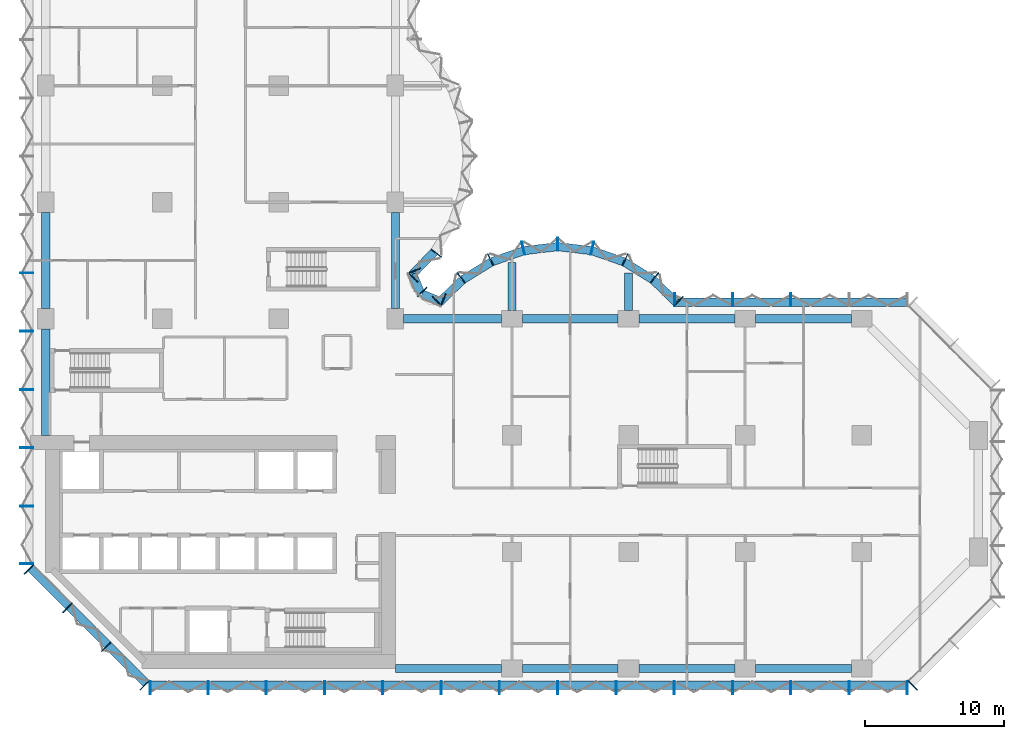
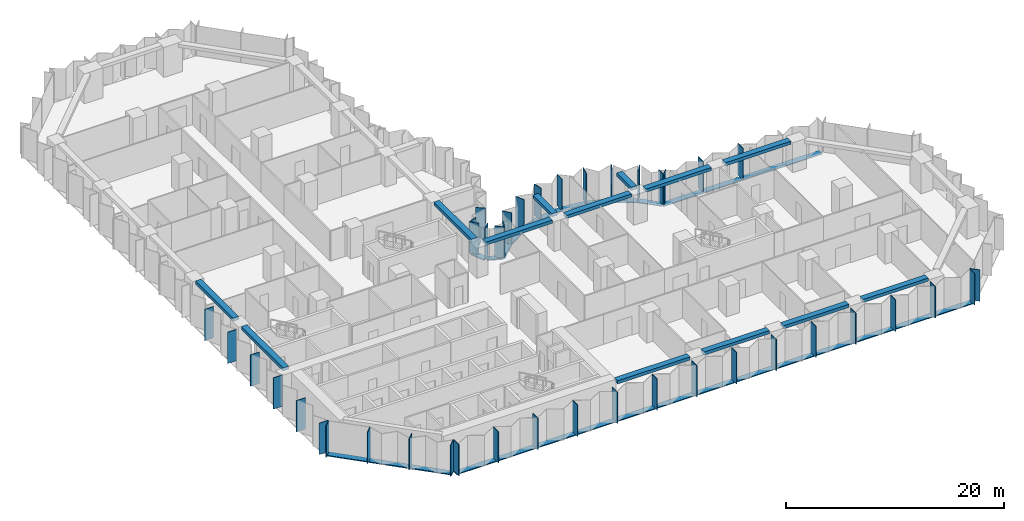
# One storey, part 2 of 15: 56 members, 13 beams, 8 elements without a shape of their own.
"""IFC4 building model written with IfcOpenShell, lengths in metres."""

from ifc_helpers import new_model, si_unit, direction, frame, origin, origin_2d, place, context, subcontext, project, spatial, rectangle, extrude, material, material_profile, profile_set, type_object, element, aggregate, save


model = new_model("IFC4")

# Units and contexts
model_context = context("Model", 3, precision=1e-05, world=origin(), true_north=direction((0.0, 1.0)))
body_context = subcontext(model_context, "Body", "Model", "MODEL_VIEW")
ifc_project = project(units=[si_unit("LENGTHUNIT", "METRE"), si_unit("AREAUNIT", "SQUARE_METRE"), si_unit("VOLUMEUNIT", "CUBIC_METRE"), si_unit("PLANEANGLEUNIT", "RADIAN"), si_unit("MASSUNIT", "GRAM", prefix="KILO")], contexts=[model_context])

# Site, building, storey
site_placement = place(None, origin())
site = spatial("IfcSite", under=ifc_project, at=site_placement, CompositionType="ELEMENT")
building_placement = place(site_placement, origin())
building = spatial("IfcBuilding", under=site, at=building_placement, Name="Brevane Broadcast Tower", CompositionType="ELEMENT")
storey_placement = place(building_placement, frame((0.0, 0.0, 43.699951171875)))
storey = spatial("IfcBuildingStorey", under=building, at=storey_placement, Name="L08", CompositionType="ELEMENT", Elevation=43.699951171875)

# Curtain wall, members
ifc_material_1 = material(Name="Aluminium 6063-T6 bronze anodised", Category="aluminium")
curtain_wall_type = type_object("IfcCurtainWallType", Name="CW-1 curtain wall", PredefinedType="NOTDEFINED", material=ifc_material_1)
curtain_wall_1_placement = place(storey_placement, origin())
curtain_wall_1 = element("IfcCurtainWall", 1, at=curtain_wall_1_placement, inside=storey, type_object=curtain_wall_type, Name="CW-1 typical tilted unit L08 south face", PredefinedType="NOTDEFINED")
ifc_material_profile_1 = material_profile(ifc_material_1, rectangle(XDim=0.949951171875, YDim=0.070068359375, at=origin_2d()), Name="RECT 70x950")
ifc_profile_set_1 = profile_set([ifc_material_profile_1], Name="Aluminium 6063-T6 bronze anodised")
member_type_1 = type_object("IfcMemberType", Name="CW-1 mullion 70x950", PredefinedType="MULLION", material=ifc_profile_set_1)
member_1_placement = place(storey_placement, frame((7.534912109375, -1.375, -0.14990234375), z_axis=(0.0, 0.0, 1.0), x_axis=(0.0, 1.0, 0.0)))
member_1 = element("IfcMember", 2, at=member_1_placement, type_object=member_type_1, Name="CW-1 mullion", PredefinedType="MULLION", context=body_context, shape_type="SweptSolid", body=[
    extrude(rectangle(XDim=0.949951171875, YDim=0.070068359375, at=origin_2d()), origin(), (0.0, 0.0, 1.0), 3.5),
])
member_2_placement = place(storey_placement, frame((11.699951171875, -1.375, -0.14990234375), z_axis=(0.0, 0.0, 1.0), x_axis=(0.0, 1.0, 0.0)))
member_2 = element("IfcMember", 3, at=member_2_placement, type_object=member_type_1, Name="CW-1 mullion", PredefinedType="MULLION", context=body_context, shape_type="SweptSolid", body=[
    extrude(rectangle(XDim=0.949951171875, YDim=0.070068359375, at=origin_2d()), origin(), (0.0, 0.0, 1.0), 3.5),
])
member_3_placement = place(storey_placement, frame((15.89990234375, -1.375, -0.14990234375), z_axis=(0.0, 0.0, 1.0), x_axis=(0.0, 1.0, 0.0)))
member_3 = element("IfcMember", 4, at=member_3_placement, type_object=member_type_1, Name="CW-1 mullion", PredefinedType="MULLION", context=body_context, shape_type="SweptSolid", body=[
    extrude(rectangle(XDim=0.949951171875, YDim=0.070068359375, at=origin_2d()), origin(), (0.0, 0.0, 1.0), 3.5),
])
member_4_placement = place(storey_placement, frame((20.10009765625, -1.375, -0.14990234375), z_axis=(0.0, 0.0, 1.0), x_axis=(0.0, 1.0, 0.0)))
member_4 = element("IfcMember", 5, at=member_4_placement, type_object=member_type_1, Name="CW-1 mullion", PredefinedType="MULLION", context=body_context, shape_type="SweptSolid", body=[
    extrude(rectangle(XDim=0.949951171875, YDim=0.070068359375, at=origin_2d()), origin(), (0.0, 0.0, 1.0), 3.5),
])
member_5_placement = place(storey_placement, frame((24.300048828125, -1.375, -0.14990234375), z_axis=(0.0, 0.0, 1.0), x_axis=(0.0, 1.0, 0.0)))
member_5 = element("IfcMember", 6, at=member_5_placement, type_object=member_type_1, Name="CW-1 mullion", PredefinedType="MULLION", context=body_context, shape_type="SweptSolid", body=[
    extrude(rectangle(XDim=0.949951171875, YDim=0.070068359375, at=origin_2d()), origin(), (0.0, 0.0, 1.0), 3.5),
])
member_6_placement = place(storey_placement, frame((28.5, -1.375, -0.14990234375), z_axis=(0.0, 0.0, 1.0), x_axis=(0.0, 1.0, 0.0)))
member_6 = element("IfcMember", 7, at=member_6_placement, type_object=member_type_1, Name="CW-1 mullion", PredefinedType="MULLION", context=body_context, shape_type="SweptSolid", body=[
    extrude(rectangle(XDim=0.949951171875, YDim=0.070068359375, at=origin_2d()), origin(), (0.0, 0.0, 1.0), 3.5),
])
member_7_placement = place(storey_placement, frame((32.699951171875, -1.375, -0.14990234375), z_axis=(0.0, 0.0, 1.0), x_axis=(0.0, 1.0, 0.0)))
member_7 = element("IfcMember", 8, at=member_7_placement, type_object=member_type_1, Name="CW-1 mullion", PredefinedType="MULLION", context=body_context, shape_type="SweptSolid", body=[
    extrude(rectangle(XDim=0.949951171875, YDim=0.070068359375, at=origin_2d()), origin(), (0.0, 0.0, 1.0), 3.5),
])
member_8_placement = place(storey_placement, frame((36.89990234375, -1.375, -0.14990234375), z_axis=(0.0, 0.0, 1.0), x_axis=(0.0, 1.0, 0.0)))
member_8 = element("IfcMember", 9, at=member_8_placement, type_object=member_type_1, Name="CW-1 mullion", PredefinedType="MULLION", context=body_context, shape_type="SweptSolid", body=[
    extrude(rectangle(XDim=0.949951171875, YDim=0.070068359375, at=origin_2d()), origin(), (0.0, 0.0, 1.0), 3.5),
])
member_9_placement = place(storey_placement, frame((41.10009765625, -1.375, -0.14990234375), z_axis=(0.0, 0.0, 1.0), x_axis=(0.0, 1.0, 0.0)))
member_9 = element("IfcMember", 10, at=member_9_placement, type_object=member_type_1, Name="CW-1 mullion", PredefinedType="MULLION", context=body_context, shape_type="SweptSolid", body=[
    extrude(rectangle(XDim=0.949951171875, YDim=0.070068359375, at=origin_2d()), origin(), (0.0, 0.0, 1.0), 3.5),
])
member_10_placement = place(storey_placement, frame((45.300048828125, -1.375, -0.14990234375), z_axis=(0.0, 0.0, 1.0), x_axis=(0.0, 1.0, 0.0)))
member_10 = element("IfcMember", 11, at=member_10_placement, type_object=member_type_1, Name="CW-1 mullion", PredefinedType="MULLION", context=body_context, shape_type="SweptSolid", body=[
    extrude(rectangle(XDim=0.949951171875, YDim=0.070068359375, at=origin_2d()), origin(), (0.0, 0.0, 1.0), 3.5),
])
member_11_placement = place(storey_placement, frame((49.5, -1.375, -0.14990234375), z_axis=(0.0, 0.0, 1.0), x_axis=(0.0, 1.0, 0.0)))
member_11 = element("IfcMember", 12, at=member_11_placement, type_object=member_type_1, Name="CW-1 mullion", PredefinedType="MULLION", context=body_context, shape_type="SweptSolid", body=[
    extrude(rectangle(XDim=0.949951171875, YDim=0.070068359375, at=origin_2d()), origin(), (0.0, 0.0, 1.0), 3.5),
])
member_12_placement = place(storey_placement, frame((53.699951171875, -1.375, -0.14990234375), z_axis=(0.0, 0.0, 1.0), x_axis=(0.0, 1.0, 0.0)))
member_12 = element("IfcMember", 13, at=member_12_placement, type_object=member_type_1, Name="CW-1 mullion", PredefinedType="MULLION", context=body_context, shape_type="SweptSolid", body=[
    extrude(rectangle(XDim=0.949951171875, YDim=0.070068359375, at=origin_2d()), origin(), (0.0, 0.0, 1.0), 3.5),
])
member_13_placement = place(storey_placement, frame((57.89990234375, -1.375, -0.14990234375), z_axis=(0.0, 0.0, 1.0), x_axis=(0.0, 1.0, 0.0)))
member_13 = element("IfcMember", 14, at=member_13_placement, type_object=member_type_1, Name="CW-1 mullion", PredefinedType="MULLION", context=body_context, shape_type="SweptSolid", body=[
    extrude(rectangle(XDim=0.949951171875, YDim=0.070068359375, at=origin_2d()), origin(), (0.0, 0.0, 1.0), 3.5),
])
member_14_placement = place(storey_placement, frame((62.06494140625, -1.375, -0.14990234375), z_axis=(0.0, 0.0, 1.0), x_axis=(0.0, 1.0, 0.0)))
member_14 = element("IfcMember", 15, at=member_14_placement, type_object=member_type_1, Name="CW-1 mullion", PredefinedType="MULLION", context=body_context, shape_type="SweptSolid", body=[
    extrude(rectangle(XDim=0.949951171875, YDim=0.070068359375, at=origin_2d()), origin(), (0.0, 0.0, 1.0), 3.5),
])

# Curtain wall, member
curtain_wall_2_placement = place(storey_placement, origin())
curtain_wall_2 = element("IfcCurtainWall", 16, at=curtain_wall_2_placement, inside=storey, type_object=curtain_wall_type, Name="CW-1 typical tilted unit L08 south-east chamfer", PredefinedType="NOTDEFINED")
member_15_placement = place(storey_placement, frame((62.460693359375, -1.211181640625, -0.14990234375), z_axis=(0.0, 0.0, 1.0), x_axis=(-0.707106781187, 0.707106781187, 0.0)))
member_15 = element("IfcMember", 17, at=member_15_placement, type_object=member_type_1, Name="CW-1 mullion", PredefinedType="MULLION", context=body_context, shape_type="SweptSolid", body=[
    extrude(rectangle(XDim=0.949951171875, YDim=0.070068359375, at=origin_2d()), origin(), (0.0, 0.0, 1.0), 3.5),
])
aggregate(curtain_wall_2, [member_15])

# Curtain wall, members
curtain_wall_3_placement = place(storey_placement, origin())
curtain_wall_3 = element("IfcCurtainWall", 18, at=curtain_wall_3_placement, inside=storey, type_object=curtain_wall_type, Name="CW-1 typical tilted unit L08 east arm north face", PredefinedType="NOTDEFINED")
member_16_placement = place(storey_placement, frame((53.699951171875, 26.574951171875, -0.14990234375), z_axis=(0.0, 0.0, 1.0), x_axis=(0.0, -1.0, 0.0)))
member_16 = element("IfcMember", 19, at=member_16_placement, type_object=member_type_1, Name="CW-1 mullion", PredefinedType="MULLION", context=body_context, shape_type="SweptSolid", body=[
    extrude(rectangle(XDim=0.949951171875, YDim=0.070068359375, at=origin_2d()), origin(), (0.0, 0.0, 1.0), 3.5),
])
member_17_placement = place(storey_placement, frame((49.5, 26.574951171875, -0.14990234375), z_axis=(0.0, 0.0, 1.0), x_axis=(0.0, -1.0, 0.0)))
member_17 = element("IfcMember", 20, at=member_17_placement, type_object=member_type_1, Name="CW-1 mullion", PredefinedType="MULLION", context=body_context, shape_type="SweptSolid", body=[
    extrude(rectangle(XDim=0.949951171875, YDim=0.070068359375, at=origin_2d()), origin(), (0.0, 0.0, 1.0), 3.5),
])
member_18_placement = place(storey_placement, frame((45.3349609375, 26.574951171875, -0.14990234375), z_axis=(0.0, 0.0, 1.0), x_axis=(0.0, -1.0, 0.0)))
member_18 = element("IfcMember", 21, at=member_18_placement, type_object=member_type_1, Name="CW-1 mullion", PredefinedType="MULLION", context=body_context, shape_type="SweptSolid", body=[
    extrude(rectangle(XDim=0.949951171875, YDim=0.070068359375, at=origin_2d()), origin(), (0.0, 0.0, 1.0), 3.5),
])

curtain_wall_4_placement = place(storey_placement, origin())
curtain_wall_4 = element("IfcCurtainWall", 22, at=curtain_wall_4_placement, inside=storey, type_object=curtain_wall_type, Name="CW-1 typical tilted unit L08 east bow", PredefinedType="NOTDEFINED")
member_19_placement = place(storey_placement, frame((45.60595703125, 26.465087890625, -0.14990234375), z_axis=(0.0, 0.0, 1.0), x_axis=(-0.696811941702, -0.717253872699, 0.0)))
member_19 = element("IfcMember", 23, at=member_19_placement, type_object=member_type_1, Name="CW-1 mullion", PredefinedType="MULLION", context=body_context, shape_type="SweptSolid", body=[
    extrude(rectangle(XDim=0.949951171875, YDim=0.070068359375, at=origin_2d()), origin(), (0.0, 0.0, 1.0), 3.5),
])
member_20_placement = place(storey_placement, frame((43.8720703125, 28.1455078125, -0.14990234375), z_axis=(0.0, 0.0, 1.0), x_axis=(-0.614769738617, -0.788706642853, 0.0)))
member_20 = element("IfcMember", 24, at=member_20_placement, type_object=member_type_1, Name="CW-1 mullion", PredefinedType="MULLION", context=body_context, shape_type="SweptSolid", body=[
    extrude(rectangle(XDim=0.949951171875, YDim=0.070068359375, at=origin_2d()), origin(), (0.0, 0.0, 1.0), 3.5),
])
member_21_placement = place(storey_placement, frame((41.746826171875, 29.4580078125, -0.14990234375), z_axis=(0.0, 0.0, 1.0), x_axis=(-0.429933601163, -0.902860508933, 0.0)))
member_21 = element("IfcMember", 25, at=member_21_placement, type_object=member_type_1, Name="CW-1 mullion", PredefinedType="MULLION", context=body_context, shape_type="SweptSolid", body=[
    extrude(rectangle(XDim=0.949951171875, YDim=0.070068359375, at=origin_2d()), origin(), (0.0, 0.0, 1.0), 3.5),
])
member_22_placement = place(storey_placement, frame((39.38818359375, 30.28076171875, -0.14990234375), z_axis=(0.0, 0.0, 1.0), x_axis=(-0.224806482215, -0.974403430594, 0.0)))
member_22 = element("IfcMember", 26, at=member_22_placement, type_object=member_type_1, Name="CW-1 mullion", PredefinedType="MULLION", context=body_context, shape_type="SweptSolid", body=[
    extrude(rectangle(XDim=0.949951171875, YDim=0.070068359375, at=origin_2d()), origin(), (0.0, 0.0, 1.0), 3.5),
])
member_23_placement = place(storey_placement, frame((36.89990234375, 30.574951171875, -0.14990234375), z_axis=(0.0, 0.0, 1.0), x_axis=(0.0, -1.0, 0.0)))
member_23 = element("IfcMember", 27, at=member_23_placement, type_object=member_type_1, Name="CW-1 mullion", PredefinedType="MULLION", context=body_context, shape_type="SweptSolid", body=[
    extrude(rectangle(XDim=0.949951171875, YDim=0.070068359375, at=origin_2d()), origin(), (0.0, 0.0, 1.0), 3.5),
])
member_24_placement = place(storey_placement, frame((34.411865234375, 30.28076171875, -0.14990234375), z_axis=(0.0, 0.0, 1.0), x_axis=(0.224806482215, -0.974403430594, 0.0)))
member_24 = element("IfcMember", 28, at=member_24_placement, type_object=member_type_1, Name="CW-1 mullion", PredefinedType="MULLION", context=body_context, shape_type="SweptSolid", body=[
    extrude(rectangle(XDim=0.949951171875, YDim=0.070068359375, at=origin_2d()), origin(), (0.0, 0.0, 1.0), 3.5),
])
member_25_placement = place(storey_placement, frame((32.05322265625, 29.4580078125, -0.14990234375), z_axis=(0.0, 0.0, 1.0), x_axis=(0.429933601163, -0.902860508933, 0.0)))
member_25 = element("IfcMember", 29, at=member_25_placement, type_object=member_type_1, Name="CW-1 mullion", PredefinedType="MULLION", context=body_context, shape_type="SweptSolid", body=[
    extrude(rectangle(XDim=0.949951171875, YDim=0.070068359375, at=origin_2d()), origin(), (0.0, 0.0, 1.0), 3.5),
])
member_26_placement = place(storey_placement, frame((29.927978515625, 28.1455078125, -0.14990234375), z_axis=(0.0, 0.0, 1.0), x_axis=(0.614769738617, -0.788706642853, 0.0)))
member_26 = element("IfcMember", 30, at=member_26_placement, type_object=member_type_1, Name="CW-1 mullion", PredefinedType="MULLION", context=body_context, shape_type="SweptSolid", body=[
    extrude(rectangle(XDim=0.949951171875, YDim=0.070068359375, at=origin_2d()), origin(), (0.0, 0.0, 1.0), 3.5),
])
member_27_placement = place(storey_placement, frame((28.194091796875, 26.465087890625, -0.14990234375), z_axis=(0.0, 0.0, 1.0), x_axis=(0.696811941702, -0.717253872699, 0.0)))
member_27 = element("IfcMember", 31, at=member_27_placement, type_object=member_type_1, Name="CW-1 mullion", PredefinedType="MULLION", context=body_context, shape_type="SweptSolid", body=[
    extrude(rectangle(XDim=0.949951171875, YDim=0.070068359375, at=origin_2d()), origin(), (0.0, 0.0, 1.0), 3.5),
])

curtain_wall_5_placement = place(storey_placement, origin())
curtain_wall_5 = element("IfcCurtainWall", 32, at=curtain_wall_5_placement, inside=storey, type_object=curtain_wall_type, Name="CW-1 typical tilted unit L08 inner corner", PredefinedType="NOTDEFINED")
member_28_placement = place(storey_placement, frame((28.6494140625, 26.55224609375, -0.14990234375), z_axis=(0.0, 0.0, 1.0), x_axis=(-0.382683612978, -0.923879457699, 0.0)))
member_28 = element("IfcMember", 33, at=member_28_placement, type_object=member_type_1, Name="CW-1 mullion", PredefinedType="MULLION", context=body_context, shape_type="SweptSolid", body=[
    extrude(rectangle(XDim=0.949951171875, YDim=0.070068359375, at=origin_2d()), origin(), (0.0, 0.0, 1.0), 3.5),
])
member_29_placement = place(storey_placement, frame((27.138916015625, 27.138916015625, -0.14990234375), z_axis=(0.0, 0.0, 1.0), x_axis=(-0.707106781187, -0.707106781187, 0.0)))
member_29 = element("IfcMember", 34, at=member_29_placement, type_object=member_type_1, Name="CW-1 mullion", PredefinedType="MULLION", context=body_context, shape_type="SweptSolid", body=[
    extrude(rectangle(XDim=0.949951171875, YDim=0.070068359375, at=origin_2d()), origin(), (0.0, 0.0, 1.0), 3.5),
])
member_30_placement = place(storey_placement, frame((26.55224609375, 28.6494140625, -0.14990234375), z_axis=(0.0, 0.0, 1.0), x_axis=(-0.923879457699, -0.382683612978, 0.0)))
member_30 = element("IfcMember", 35, at=member_30_placement, type_object=member_type_1, Name="CW-1 mullion", PredefinedType="MULLION", context=body_context, shape_type="SweptSolid", body=[
    extrude(rectangle(XDim=0.949951171875, YDim=0.070068359375, at=origin_2d()), origin(), (0.0, 0.0, 1.0), 3.5),
])

curtain_wall_6_placement = place(storey_placement, origin())
curtain_wall_6 = element("IfcCurtainWall", 36, at=curtain_wall_6_placement, inside=storey, type_object=curtain_wall_type, Name="CW-1 typical tilted unit L08 north bow", PredefinedType="NOTDEFINED")
member_31_placement = place(storey_placement, frame((26.465087890625, 28.194091796875, -0.14990234375), z_axis=(0.0, 0.0, 1.0), x_axis=(-0.717253872699, 0.696811941702, 0.0)))
member_31 = element("IfcMember", 37, at=member_31_placement, type_object=member_type_1, Name="CW-1 mullion", PredefinedType="MULLION", context=body_context, shape_type="SweptSolid", body=[
    extrude(rectangle(XDim=0.949951171875, YDim=0.070068359375, at=origin_2d()), origin(), (0.0, 0.0, 1.0), 3.5),
])
member_32_placement = place(storey_placement, frame((28.1455078125, 29.927978515625, -0.14990234375), z_axis=(0.0, 0.0, 1.0), x_axis=(-0.788706642853, 0.614769738617, 0.0)))
member_32 = element("IfcMember", 38, at=member_32_placement, type_object=member_type_1, Name="CW-1 mullion", PredefinedType="MULLION", context=body_context, shape_type="SweptSolid", body=[
    extrude(rectangle(XDim=0.949951171875, YDim=0.070068359375, at=origin_2d()), origin(), (0.0, 0.0, 1.0), 3.5),
])

curtain_wall_7_placement = place(storey_placement, origin())
curtain_wall_7 = element("IfcCurtainWall", 39, at=curtain_wall_7_placement, inside=storey, type_object=curtain_wall_type, Name="CW-1 typical tilted unit L08 west face", PredefinedType="NOTDEFINED")
member_33_placement = place(storey_placement, frame((-1.375, 28.5, -0.14990234375), z_axis=(0.0, 0.0, 1.0), x_axis=(1.0, 0.0, 0.0)))
member_33 = element("IfcMember", 40, at=member_33_placement, type_object=member_type_1, Name="CW-1 mullion", PredefinedType="MULLION", context=body_context, shape_type="SweptSolid", body=[
    extrude(rectangle(XDim=0.949951171875, YDim=0.070068359375, at=origin_2d()), origin(), (0.0, 0.0, 1.0), 3.5),
])
member_34_placement = place(storey_placement, frame((-1.375, 24.300048828125, -0.14990234375), z_axis=(0.0, 0.0, 1.0), x_axis=(1.0, 0.0, 0.0)))
member_34 = element("IfcMember", 41, at=member_34_placement, type_object=member_type_1, Name="CW-1 mullion", PredefinedType="MULLION", context=body_context, shape_type="SweptSolid", body=[
    extrude(rectangle(XDim=0.949951171875, YDim=0.070068359375, at=origin_2d()), origin(), (0.0, 0.0, 1.0), 3.5),
])
member_35_placement = place(storey_placement, frame((-1.375, 20.10009765625, -0.14990234375), z_axis=(0.0, 0.0, 1.0), x_axis=(1.0, 0.0, 0.0)))
member_35 = element("IfcMember", 42, at=member_35_placement, type_object=member_type_1, Name="CW-1 mullion", PredefinedType="MULLION", context=body_context, shape_type="SweptSolid", body=[
    extrude(rectangle(XDim=0.949951171875, YDim=0.070068359375, at=origin_2d()), origin(), (0.0, 0.0, 1.0), 3.5),
])
member_36_placement = place(storey_placement, frame((-1.375, 15.89990234375, -0.14990234375), z_axis=(0.0, 0.0, 1.0), x_axis=(1.0, 0.0, 0.0)))
member_36 = element("IfcMember", 43, at=member_36_placement, type_object=member_type_1, Name="CW-1 mullion", PredefinedType="MULLION", context=body_context, shape_type="SweptSolid", body=[
    extrude(rectangle(XDim=0.949951171875, YDim=0.070068359375, at=origin_2d()), origin(), (0.0, 0.0, 1.0), 3.5),
])
member_37_placement = place(storey_placement, frame((-1.375, 11.699951171875, -0.14990234375), z_axis=(0.0, 0.0, 1.0), x_axis=(1.0, 0.0, 0.0)))
member_37 = element("IfcMember", 44, at=member_37_placement, type_object=member_type_1, Name="CW-1 mullion", PredefinedType="MULLION", context=body_context, shape_type="SweptSolid", body=[
    extrude(rectangle(XDim=0.949951171875, YDim=0.070068359375, at=origin_2d()), origin(), (0.0, 0.0, 1.0), 3.5),
])
member_38_placement = place(storey_placement, frame((-1.375, 7.534912109375, -0.14990234375), z_axis=(0.0, 0.0, 1.0), x_axis=(1.0, 0.0, 0.0)))
member_38 = element("IfcMember", 45, at=member_38_placement, type_object=member_type_1, Name="CW-1 mullion", PredefinedType="MULLION", context=body_context, shape_type="SweptSolid", body=[
    extrude(rectangle(XDim=0.949951171875, YDim=0.070068359375, at=origin_2d()), origin(), (0.0, 0.0, 1.0), 3.5),
])
aggregate(curtain_wall_7, [member_33, member_34, member_35, member_36, member_37, member_38])

curtain_wall_8_placement = place(storey_placement, origin())
curtain_wall_8 = element("IfcCurtainWall", 46, at=curtain_wall_8_placement, inside=storey, type_object=curtain_wall_type, Name="CW-1 typical tilted unit L08 south-west chamfer", PredefinedType="NOTDEFINED")
member_39_placement = place(storey_placement, frame((-1.211181640625, 7.139404296875, -0.14990234375), z_axis=(0.0, 0.0, 1.0), x_axis=(0.707106781187, 0.707106781187, 0.0)))
member_39 = element("IfcMember", 47, at=member_39_placement, type_object=member_type_1, Name="CW-1 mullion", PredefinedType="MULLION", context=body_context, shape_type="SweptSolid", body=[
    extrude(rectangle(XDim=0.949951171875, YDim=0.070068359375, at=origin_2d()), origin(), (0.0, 0.0, 1.0), 3.5),
])
member_40_placement = place(storey_placement, frame((1.564208984375, 4.364013671875, -0.14990234375), z_axis=(0.0, 0.0, 1.0), x_axis=(0.707106781187, 0.707106781187, 0.0)))
member_40 = element("IfcMember", 48, at=member_40_placement, type_object=member_type_1, Name="CW-1 mullion", PredefinedType="MULLION", context=body_context, shape_type="SweptSolid", body=[
    extrude(rectangle(XDim=0.949951171875, YDim=0.070068359375, at=origin_2d()), origin(), (0.0, 0.0, 1.0), 3.5),
])
member_41_placement = place(storey_placement, frame((4.364013671875, 1.564208984375, -0.14990234375), z_axis=(0.0, 0.0, 1.0), x_axis=(0.707106781187, 0.707106781187, 0.0)))
member_41 = element("IfcMember", 49, at=member_41_placement, type_object=member_type_1, Name="CW-1 mullion", PredefinedType="MULLION", context=body_context, shape_type="SweptSolid", body=[
    extrude(rectangle(XDim=0.949951171875, YDim=0.070068359375, at=origin_2d()), origin(), (0.0, 0.0, 1.0), 3.5),
])
member_42_placement = place(storey_placement, frame((7.139404296875, -1.211181640625, -0.14990234375), z_axis=(0.0, 0.0, 1.0), x_axis=(0.707106781187, 0.707106781187, 0.0)))
member_42 = element("IfcMember", 50, at=member_42_placement, type_object=member_type_1, Name="CW-1 mullion", PredefinedType="MULLION", context=body_context, shape_type="SweptSolid", body=[
    extrude(rectangle(XDim=0.949951171875, YDim=0.070068359375, at=origin_2d()), origin(), (0.0, 0.0, 1.0), 3.5),
])

# Member
ifc_material_profile_2 = material_profile(ifc_material_1, rectangle(XDim=0.60009765625, YDim=0.10009765625, at=origin_2d()), Name="RECT 100x600")
ifc_profile_set_2 = profile_set([ifc_material_profile_2], Name="Aluminium 6063-T6 bronze anodised")
member_type_2 = type_object("IfcMemberType", Name="CW-1 transom 100x600", PredefinedType="USERDEFINED", material=ifc_profile_set_2)
member_43_placement = place(storey_placement, frame((7.5, -1.199951171875, -0.199951171875), z_axis=(1.0, 0.0, 0.0), x_axis=(0.0, 1.0, 0.0)))
member_43 = element("IfcMember", 51, at=member_43_placement, type_object=member_type_2, Name="CW-1 transom", ObjectType="TRANSOM", PredefinedType="USERDEFINED", context=body_context, shape_type="SweptSolid", body=[
    extrude(rectangle(XDim=0.60009765625, YDim=0.10009765625, at=origin_2d()), origin(), (0.0, 0.0, 1.0), 54.60009765625),
])

aggregate(curtain_wall_1, [member_1, member_2, member_3, member_4, member_5, member_6, member_7, member_8, member_9, member_10, member_11, member_12, member_13, member_14, member_43])

member_44_placement = place(storey_placement, frame((62.10009765625, 26.39990234375, -0.199951171875), z_axis=(-1.0, 0.0, 0.0), x_axis=(0.0, -1.0, 0.0)))
member_44 = element("IfcMember", 52, at=member_44_placement, type_object=member_type_2, Name="CW-1 transom", ObjectType="TRANSOM", PredefinedType="USERDEFINED", context=body_context, shape_type="SweptSolid", body=[
    extrude(rectangle(XDim=0.60009765625, YDim=0.10009765625, at=origin_2d()), origin(), (0.0, 0.0, 1.0), 16.800048828125),
])

aggregate(curtain_wall_3, [member_16, member_17, member_18, member_44])

member_45_placement = place(storey_placement, frame((45.412841796875, 26.407958984375, -0.199951171875), z_axis=(-0.71724215871, 0.696823999134, 0.0), x_axis=(-0.696823999134, -0.71724215871, 0.0)))
member_45 = element("IfcMember", 53, at=member_45_placement, type_object=member_type_2, Name="CW-1 transom", ObjectType="TRANSOM", PredefinedType="USERDEFINED", context=body_context, shape_type="SweptSolid", body=[
    extrude(rectangle(XDim=0.60009765625, YDim=0.10009765625, at=origin_2d()), origin(), (0.0, 0.0, 1.0), 2.247802734375),
])

member_46_placement = place(storey_placement, frame((43.7421875, 28.023193359375, -0.199951171875), z_axis=(-0.850810063131, 0.525473345162, 0.0), x_axis=(-0.525473345162, -0.850810063131, 0.0)))
member_46 = element("IfcMember", 54, at=member_46_placement, type_object=member_type_2, Name="CW-1 transom", ObjectType="TRANSOM", PredefinedType="USERDEFINED", context=body_context, shape_type="SweptSolid", body=[
    extrude(rectangle(XDim=0.60009765625, YDim=0.10009765625, at=origin_2d()), origin(), (0.0, 0.0, 1.0), 2.39453125),
])

member_47_placement = place(storey_placement, frame((41.63623046875, 29.314208984375, -0.199951171875), z_axis=(-0.944197969542, 0.329378497041, 0.0), x_axis=(-0.329378497041, -0.944197969542, 0.0)))
member_47 = element("IfcMember", 55, at=member_47_placement, type_object=member_type_2, Name="CW-1 transom", ObjectType="TRANSOM", PredefinedType="USERDEFINED", context=body_context, shape_type="SweptSolid", body=[
    extrude(rectangle(XDim=0.60009765625, YDim=0.10009765625, at=origin_2d()), origin(), (0.0, 0.0, 1.0), 2.394775390625),
])

member_48_placement = place(storey_placement, frame((39.30029296875, 30.117431640625, -0.199951171875), z_axis=(-0.993062061831, 0.117591417, 0.0), x_axis=(-0.117591417, -0.993062061831, 0.0)))
member_48 = element("IfcMember", 56, at=member_48_placement, type_object=member_type_2, Name="CW-1 transom", ObjectType="TRANSOM", PredefinedType="USERDEFINED", context=body_context, shape_type="SweptSolid", body=[
    extrude(rectangle(XDim=0.60009765625, YDim=0.10009765625, at=origin_2d()), origin(), (0.0, 0.0, 1.0), 2.39794921875),
])

member_49_placement = place(storey_placement, frame((36.880859375, 30.3994140625, -0.199951171875), z_axis=(-0.993060653805, -0.117603307202, 0.0), x_axis=(0.117603307202, -0.993060653805, 0.0)))
member_49 = element("IfcMember", 57, at=member_49_placement, type_object=member_type_2, Name="CW-1 transom", ObjectType="TRANSOM", PredefinedType="USERDEFINED", context=body_context, shape_type="SweptSolid", body=[
    extrude(rectangle(XDim=0.60009765625, YDim=0.10009765625, at=origin_2d()), origin(), (0.0, 0.0, 1.0), 2.397705078125),
])

member_50_placement = place(storey_placement, frame((34.425048828125, 30.10302734375, -0.199951171875), z_axis=(-0.944197969542, -0.329378497041, 0.0), x_axis=(0.329378497041, -0.944197969542, 0.0)))
member_50 = element("IfcMember", 58, at=member_50_placement, type_object=member_type_2, Name="CW-1 transom", ObjectType="TRANSOM", PredefinedType="USERDEFINED", context=body_context, shape_type="SweptSolid", body=[
    extrude(rectangle(XDim=0.60009765625, YDim=0.10009765625, at=origin_2d()), origin(), (0.0, 0.0, 1.0), 2.394775390625),
])

member_51_placement = place(storey_placement, frame((32.09521484375, 29.281494140625, -0.199951171875), z_axis=(-0.850838211365, -0.525427766759, 0.0), x_axis=(0.525427766759, -0.850838211365, 0.0)))
member_51 = element("IfcMember", 59, at=member_51_placement, type_object=member_type_2, Name="CW-1 transom", ObjectType="TRANSOM", PredefinedType="USERDEFINED", context=body_context, shape_type="SweptSolid", body=[
    extrude(rectangle(XDim=0.60009765625, YDim=0.10009765625, at=origin_2d()), origin(), (0.0, 0.0, 1.0), 2.394775390625),
])

member_52_placement = place(storey_placement, frame((29.99951171875, 27.974365234375, -0.199951171875), z_axis=(-0.71724215871, -0.696823999134, 0.0), x_axis=(0.696823999134, -0.71724215871, 0.0)))
member_52 = element("IfcMember", 60, at=member_52_placement, type_object=member_type_2, Name="CW-1 transom", ObjectType="TRANSOM", PredefinedType="USERDEFINED", context=body_context, shape_type="SweptSolid", body=[
    extrude(rectangle(XDim=0.60009765625, YDim=0.10009765625, at=origin_2d()), origin(), (0.0, 0.0, 1.0), 2.247802734375),
])

aggregate(curtain_wall_4, [member_19, member_20, member_21, member_22, member_23, member_24, member_25, member_26, member_27, member_45, member_46, member_47, member_48, member_49, member_50, member_51, member_52])

member_53_placement = place(storey_placement, frame((28.528076171875, 26.40673828125, -0.199951171875), z_axis=(-0.923883243627, 0.382674472816, 0.0), x_axis=(-0.382674472816, -0.923883243627, 0.0)))
member_53 = element("IfcMember", 61, at=member_53_placement, type_object=member_type_2, Name="CW-1 transom", ObjectType="TRANSOM", PredefinedType="USERDEFINED", context=body_context, shape_type="SweptSolid", body=[
    extrude(rectangle(XDim=0.60009765625, YDim=0.10009765625, at=origin_2d()), origin(), (0.0, 0.0, 1.0), 1.536865234375),
])

member_54_placement = place(storey_placement, frame((27.039794921875, 27.0, -0.199951171875), z_axis=(-0.382674472816, 0.923883243627, 0.0), x_axis=(-0.923883243627, -0.382674472816, 0.0)))
member_54 = element("IfcMember", 62, at=member_54_placement, type_object=member_type_2, Name="CW-1 transom", ObjectType="TRANSOM", PredefinedType="USERDEFINED", context=body_context, shape_type="SweptSolid", body=[
    extrude(rectangle(XDim=0.60009765625, YDim=0.10009765625, at=origin_2d()), origin(), (0.0, 0.0, 1.0), 1.536865234375),
])

aggregate(curtain_wall_5, [member_28, member_29, member_30, member_53, member_54])

member_55_placement = place(storey_placement, frame((26.407958984375, 28.38720703125, -0.199951171875), z_axis=(0.696823999134, 0.71724215871, 0.0), x_axis=(-0.71724215871, 0.696823999134, 0.0)))
member_55 = element("IfcMember", 63, at=member_55_placement, type_object=member_type_2, Name="CW-1 transom", ObjectType="TRANSOM", PredefinedType="USERDEFINED", context=body_context, shape_type="SweptSolid", body=[
    extrude(rectangle(XDim=0.60009765625, YDim=0.10009765625, at=origin_2d()), origin(), (0.0, 0.0, 1.0), 2.247802734375),
])

aggregate(curtain_wall_6, [member_31, member_32, member_55])

member_56_placement = place(storey_placement, frame((-1.112060546875, 7.287841796875, -0.199951171875), z_axis=(0.707106781187, -0.707106781187, 0.0), x_axis=(0.707106781187, 0.707106781187, 0.0)))
member_56 = element("IfcMember", 64, at=member_56_placement, type_object=member_type_2, Name="CW-1 transom", ObjectType="TRANSOM", PredefinedType="USERDEFINED", context=body_context, shape_type="SweptSolid", body=[
    extrude(rectangle(XDim=0.60009765625, YDim=0.10009765625, at=origin_2d()), origin(), (0.0, 0.0, 1.0), 11.879150390625),
])

aggregate(curtain_wall_8, [member_39, member_40, member_41, member_42, member_56])

# Beams
ifc_material_2 = material(Name="Concrete C40/50", Category="concrete")
ifc_material_profile_3 = material_profile(ifc_material_2, rectangle(XDim=0.60009765625, YDim=0.35009765625, at=origin_2d()), Name="RC 600x350")
ifc_profile_set_3 = profile_set([ifc_material_profile_3], Name="Concrete C40/50")
beam_type_1 = type_object("IfcBeamType", Name="RC BRACKET BEAM 600x350 C40/50", PredefinedType="BEAM", material=ifc_profile_set_3)
beam_1_placement = place(storey_placement, frame((33.60009765625, 25.800048828125, 3.175048828125), z_axis=(0.0, 1.0, 0.0), x_axis=(-1.0, 0.0, 0.0)))
element("IfcBeam", 65, at=beam_1_placement, inside=storey, type_object=beam_type_1, Name="EB2 L08-3", PredefinedType="BEAM", context=body_context, shape_type="SweptSolid", body=[
    extrude(rectangle(XDim=0.60009765625, YDim=0.35009765625, at=origin_2d()), origin(), (0.0, 0.0, 1.0), 3.4619140625),
])
beam_2_placement = place(storey_placement, frame((42.0, 25.800048828125, 3.175048828125), z_axis=(0.0, 1.0, 0.0), x_axis=(-1.0, 0.0, 0.0)))
element("IfcBeam", 66, at=beam_2_placement, inside=storey, type_object=beam_type_1, Name="EB2 L08-4", PredefinedType="BEAM", context=body_context, shape_type="SweptSolid", body=[
    extrude(rectangle(XDim=0.60009765625, YDim=0.35009765625, at=origin_2d()), origin(), (0.0, 0.0, 1.0), 2.71142578125),
])
ifc_material_profile_4 = material_profile(ifc_material_2, rectangle(XDim=0.60009765625, YDim=0.35009765625, at=origin_2d()), Name="RC 600x350")
ifc_profile_set_4 = profile_set([ifc_material_profile_4], Name="Concrete C40/50")
beam_type_2 = type_object("IfcBeamType", Name="RC SPANDREL BEAM 600x350 C40/50", PredefinedType="SPANDREL", material=ifc_profile_set_4)
beam_3_placement = place(storey_placement, frame((25.199951171875, 0.0, 3.175048828125), z_axis=(1.0, 0.0, 0.0), x_axis=(0.0, 1.0, 0.0)))
element("IfcBeam", 67, at=beam_3_placement, inside=storey, type_object=beam_type_2, Name="EB1 L08-1", PredefinedType="SPANDREL", context=body_context, shape_type="SweptSolid", body=[
    extrude(rectangle(XDim=0.60009765625, YDim=0.35009765625, at=origin_2d()), origin(), (0.0, 0.0, 1.0), 7.650146484375),
])
for number, where, z_axis, x_axis, name in (
    (68, (34.35009765625, 0.0, 3.175048828125), (1.0, 0.0, 0.0), (0.0, 1.0, 0.0), "EB1 L08-2"),
    (69, (42.75, 0.0, 3.175048828125), (1.0, 0.0, 0.0), (0.0, 1.0, 0.0), "EB1 L08-3"),
):
    element("IfcBeam", number, at=place(storey_placement, frame(where, z_axis=z_axis, x_axis=x_axis)), inside=storey, type_object=beam_type_2, Name=name, PredefinedType="SPANDREL", context=body_context, shape_type="SweptSolid", body=[
        extrude(rectangle(XDim=0.60009765625, YDim=0.35009765625, at=origin_2d()), origin(), (0.0, 0.0, 1.0), 6.89990234375),
    ])
for number, where, z_axis, x_axis, name in (
    (70, (51.14990234375, 0.0, 3.175048828125), (1.0, 0.0, 0.0), (0.0, 1.0, 0.0), "EB1 L08-4"),
    (71, (58.050048828125, 25.199951171875, 3.175048828125), (-1.0, 0.0, 0.0), (0.0, -1.0, 0.0), "EB1 L08-8"),
):
    element("IfcBeam", number, at=place(storey_placement, frame(where, z_axis=z_axis, x_axis=x_axis)), inside=storey, type_object=beam_type_2, Name=name, PredefinedType="SPANDREL", context=body_context, shape_type="SweptSolid", body=[
        extrude(rectangle(XDim=0.60009765625, YDim=0.35009765625, at=origin_2d()), origin(), (0.0, 0.0, 1.0), 6.900146484375),
    ])
for number, where, z_axis, x_axis, name in (
    (72, (49.64990234375, 25.199951171875, 3.175048828125), (-1.0, 0.0, 0.0), (0.0, -1.0, 0.0), "EB1 L08-9"),
    (73, (41.25, 25.199951171875, 3.175048828125), (-1.0, 0.0, 0.0), (0.0, -1.0, 0.0), "EB1 L08-10"),
):
    element("IfcBeam", number, at=place(storey_placement, frame(where, z_axis=z_axis, x_axis=x_axis)), inside=storey, type_object=beam_type_2, Name=name, PredefinedType="SPANDREL", context=body_context, shape_type="SweptSolid", body=[
        extrude(rectangle(XDim=0.60009765625, YDim=0.35009765625, at=origin_2d()), origin(), (0.0, 0.0, 1.0), 6.89990234375),
    ])
beam_4_placement = place(storey_placement, frame((32.85009765625, 25.199951171875, 3.175048828125), z_axis=(-1.0, 0.0, 0.0), x_axis=(0.0, -1.0, 0.0)))
element("IfcBeam", 74, at=beam_4_placement, inside=storey, type_object=beam_type_2, Name="EB1 L08-11", PredefinedType="SPANDREL", context=body_context, shape_type="SweptSolid", body=[
    extrude(rectangle(XDim=0.60009765625, YDim=0.35009765625, at=origin_2d()), origin(), (0.0, 0.0, 1.0), 7.050048828125),
])
for number, where, z_axis, x_axis, name in (
    (75, (25.199951171875, 25.949951171875, 3.175048828125), (0.0, 1.0, 0.0), (-1.0, 0.0, 0.0), "EB1 L08-12"),
    (76, (0.0, 32.85009765625, 3.175048828125), (0.0, -1.0, 0.0), (1.0, 0.0, 0.0), "EB1 L08-22"),
):
    element("IfcBeam", number, at=place(storey_placement, frame(where, z_axis=z_axis, x_axis=x_axis)), inside=storey, type_object=beam_type_2, Name=name, PredefinedType="SPANDREL", context=body_context, shape_type="SweptSolid", body=[
        extrude(rectangle(XDim=0.60009765625, YDim=0.35009765625, at=origin_2d()), origin(), (0.0, 0.0, 1.0), 6.900146484375),
    ])
beam_5_placement = place(storey_placement, frame((0.0, 24.449951171875, 3.175048828125), z_axis=(0.0, -1.0, 0.0), x_axis=(1.0, 0.0, 0.0)))
element("IfcBeam", 77, at=beam_5_placement, inside=storey, type_object=beam_type_2, Name="EB1 L08-23", PredefinedType="SPANDREL", context=body_context, shape_type="SweptSolid", body=[
    extrude(rectangle(XDim=0.60009765625, YDim=0.35009765625, at=origin_2d()), origin(), (0.0, 0.0, 1.0), 7.64990234375),
])

save(model, "model.ifc")
